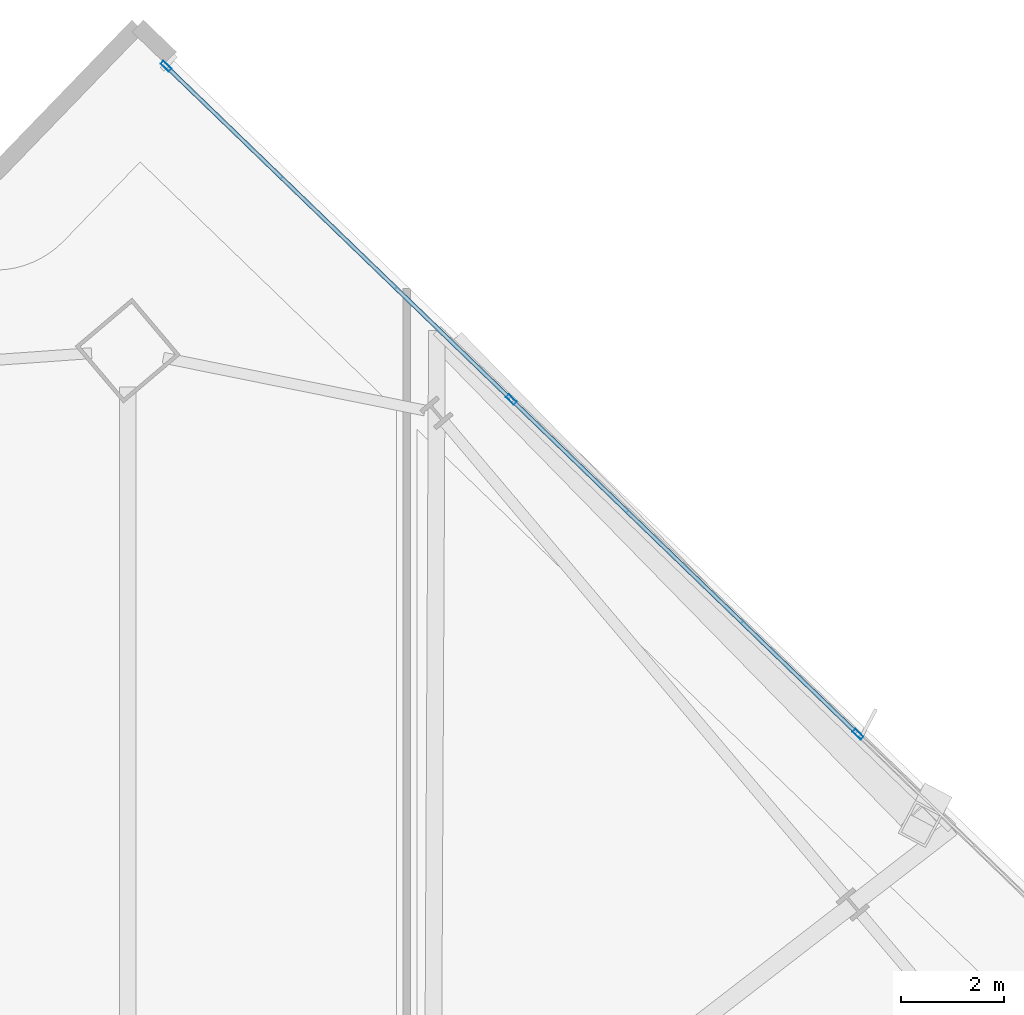
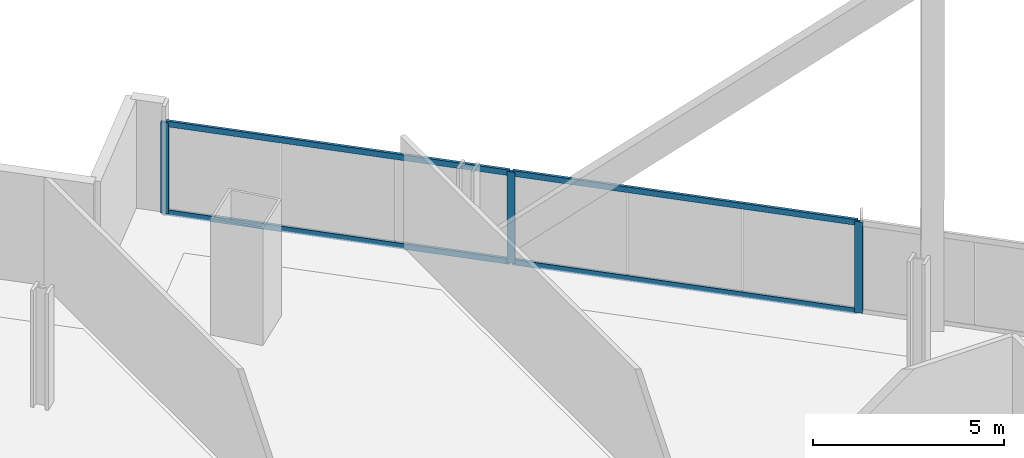
# One storey, part 23 of 33: 7 members, 1 element without a shape of its own.
"""IFC4 building model written with IfcOpenShell, lengths in metres."""

from ifc_helpers import new_model, si_unit, direction, frame, origin, origin_2d, place, context, subcontext, project, spatial, hollow_rectangle, extrude, material, material_profile, profile_set, type_object, element, aggregate, save


model = new_model("IFC4")

# Units and contexts
model_context = context("Model", 3, precision=1e-05, world=origin(), true_north=direction((0.0, 1.0)))
body_context = subcontext(model_context, "Body", "Model", "MODEL_VIEW")
ifc_project = project(units=[si_unit("LENGTHUNIT", "METRE"), si_unit("AREAUNIT", "SQUARE_METRE"), si_unit("VOLUMEUNIT", "CUBIC_METRE"), si_unit("PLANEANGLEUNIT", "RADIAN"), si_unit("MASSUNIT", "GRAM", prefix="KILO")], contexts=[model_context])

# Site, building, storey
site_placement = place(None, origin())
site = spatial("IfcSite", under=ifc_project, at=site_placement, CompositionType="ELEMENT")
building_placement = place(site_placement, origin())
building = spatial("IfcBuilding", under=site, at=building_placement, Name="Haldenkirk Collegiate Tower", CompositionType="ELEMENT")
storey_placement = place(building_placement, frame((0.0, 0.0, 181.949951171875)))
storey = spatial("IfcBuildingStorey", under=building, at=storey_placement, Name="L45", CompositionType="ELEMENT", Elevation=181.949951171875)

# Curtain wall, members
ifc_material = material(Name="Anodised architectural bronze aluminium", Category="aluminium")
curtain_wall_type = type_object("IfcCurtainWallType", Name="CW-SYS1-CONVEX-LOW", PredefinedType="USERDEFINED", material=ifc_material)
curtain_wall_placement = place(storey_placement, origin())
curtain_wall = element("IfcCurtainWall", 1, at=curtain_wall_placement, inside=storey, type_object=curtain_wall_type, Name="L45 Lower tower convex bronze-framed unitised curtain wall", ObjectType="UNITISED CURTAIN WALL", PredefinedType="USERDEFINED")
ifc_material_profile_1 = material_profile(ifc_material, hollow_rectangle(XDim=0.080078125, YDim=0.219970703125, WallThickness=0.0048828125, at=origin_2d()), Name="CW-MUL-1A")
ifc_profile_set_1 = profile_set([ifc_material_profile_1], Name="Anodised architectural bronze aluminium")
member_type_1 = type_object("IfcMemberType", Name="CW-MUL-1A", PredefinedType="MULLION", material=ifc_profile_set_1)
member_1_placement = place(storey_placement, frame((39.822265625, 56.604248046875, 0.0), z_axis=(0.0, 0.0, 1.0), x_axis=(0.694657514243, 0.719340627176, 0.0)))
member_1 = element("IfcMember", 2, at=member_1_placement, type_object=member_type_1, Name="CW-1A mullion 1", PredefinedType="MULLION", context=body_context, shape_type="SweptSolid", body=[
    extrude(hollow_rectangle(XDim=0.080078125, YDim=0.219970703125, WallThickness=0.0048828125, at=origin_2d()), origin(), (0.0, 0.0, 1.0), 2.9111328125),
])
member_2_placement = place(storey_placement, frame((46.53271484375, 50.1240234375, 0.0), z_axis=(0.0, 0.0, 1.0), x_axis=(0.694657514243, 0.719340627176, 0.0)))
member_2 = element("IfcMember", 3, at=member_2_placement, type_object=member_type_1, Name="CW-1A mullion 2", PredefinedType="MULLION", context=body_context, shape_type="SweptSolid", body=[
    extrude(hollow_rectangle(XDim=0.080078125, YDim=0.219970703125, WallThickness=0.0048828125, at=origin_2d()), origin(), (0.0, 0.0, 1.0), 2.9111328125),
])
member_3_placement = place(storey_placement, frame((53.272216796875, 43.615966796875, 0.0), z_axis=(0.0, 0.0, 1.0), x_axis=(0.694657514243, 0.719340627176, 0.0)))
member_3 = element("IfcMember", 4, at=member_3_placement, type_object=member_type_1, Name="CW-1A mullion 3", PredefinedType="MULLION", context=body_context, shape_type="SweptSolid", body=[
    extrude(hollow_rectangle(XDim=0.080078125, YDim=0.219970703125, WallThickness=0.0048828125, at=origin_2d()), origin(), (0.0, 0.0, 1.0), 2.9111328125),
])
ifc_material_profile_2 = material_profile(ifc_material, hollow_rectangle(XDim=0.080078125, YDim=0.179931640625, WallThickness=0.0048828125, at=origin_2d()), Name="CW-TRN-1A")
ifc_profile_set_2 = profile_set([ifc_material_profile_2], Name="Anodised architectural bronze aluminium")
member_type_2 = type_object("IfcMemberType", Name="CW-TRN-1A", PredefinedType="USERDEFINED", material=ifc_profile_set_2)
member_4_placement = place(storey_placement, frame((39.85107421875, 56.576416015625, 0.0400390625), z_axis=(0.719339599875, -0.694658578045, 0.0), x_axis=(0.694658578045, 0.719339599875, 0.0)))
member_4 = element("IfcMember", 5, at=member_4_placement, type_object=member_type_2, Name="CW-1A transom 1.1", ObjectType="TRANSOM", PredefinedType="USERDEFINED", context=body_context, shape_type="SweptSolid", body=[
    extrude(hollow_rectangle(XDim=0.080078125, YDim=0.179931640625, WallThickness=0.0048828125, at=origin_2d()), origin(), (0.0, 0.0, 1.0), 9.248779296875),
])
member_5_placement = place(storey_placement, frame((39.85107421875, 56.576416015625, 2.87109375), z_axis=(0.719339599875, -0.694658578045, 0.0), x_axis=(0.694658578045, 0.719339599875, 0.0)))
member_5 = element("IfcMember", 6, at=member_5_placement, type_object=member_type_2, Name="CW-1A transom 1.2", ObjectType="TRANSOM", PredefinedType="USERDEFINED", context=body_context, shape_type="SweptSolid", body=[
    extrude(hollow_rectangle(XDim=0.080078125, YDim=0.179931640625, WallThickness=0.0048828125, at=origin_2d()), origin(), (0.0, 0.0, 1.0), 9.248779296875),
])
member_6_placement = place(storey_placement, frame((46.5615234375, 50.09619140625, 0.0400390625), z_axis=(0.719338960815, -0.69465923981, 0.0), x_axis=(0.69465923981, 0.719338960815, 0.0)))
member_6 = element("IfcMember", 7, at=member_6_placement, type_object=member_type_2, Name="CW-1A transom 2.1", ObjectType="TRANSOM", PredefinedType="USERDEFINED", context=body_context, shape_type="SweptSolid", body=[
    extrude(hollow_rectangle(XDim=0.080078125, YDim=0.179931640625, WallThickness=0.0048828125, at=origin_2d()), origin(), (0.0, 0.0, 1.0), 9.288818359375),
])
member_7_placement = place(storey_placement, frame((46.5615234375, 50.09619140625, 2.87109375), z_axis=(0.719338960815, -0.69465923981, 0.0), x_axis=(0.69465923981, 0.719338960815, 0.0)))
member_7 = element("IfcMember", 8, at=member_7_placement, type_object=member_type_2, Name="CW-1A transom 2.2", ObjectType="TRANSOM", PredefinedType="USERDEFINED", context=body_context, shape_type="SweptSolid", body=[
    extrude(hollow_rectangle(XDim=0.080078125, YDim=0.179931640625, WallThickness=0.0048828125, at=origin_2d()), origin(), (0.0, 0.0, 1.0), 9.288818359375),
])
aggregate(curtain_wall, [member_1, member_2, member_3, member_4, member_5, member_6, member_7])

save(model, "model.ifc")
